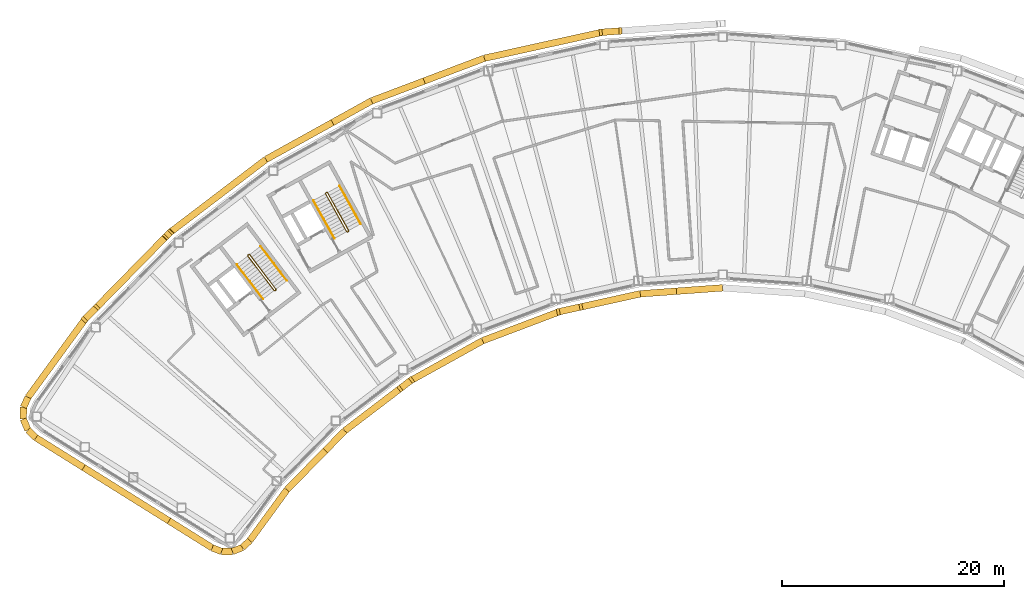
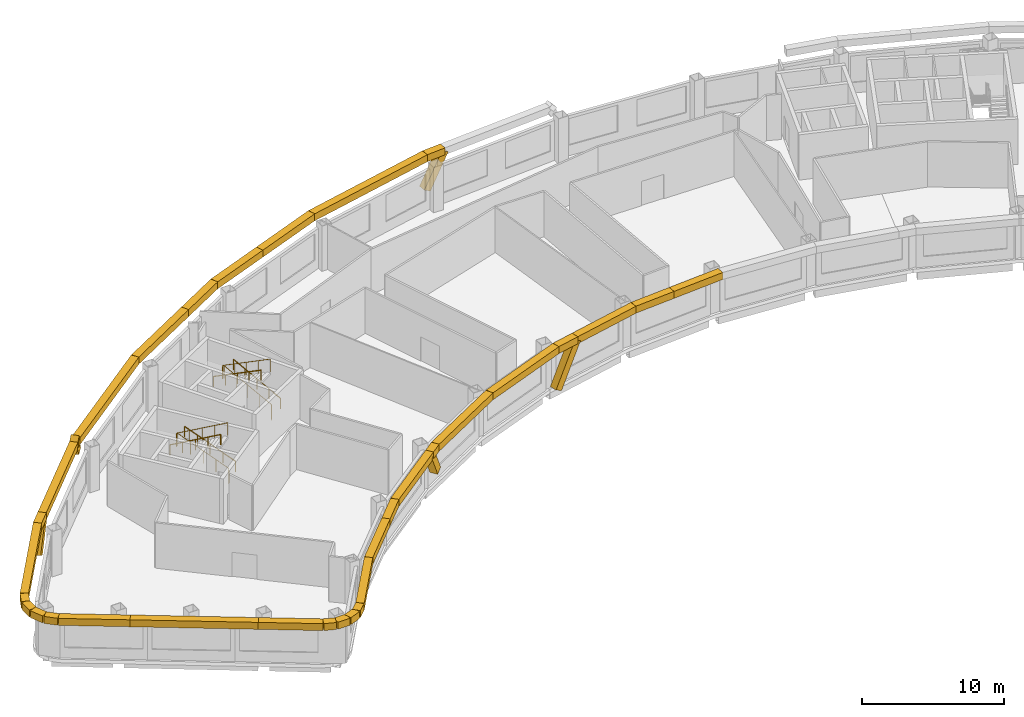
# One storey, part 12 of 13: 39 coverings, 6 railings.
"""IFC4 building model written with IfcOpenShell, lengths in metres."""

from ifc_helpers import new_model, si_unit, direction, frame, origin, origin_2d, place, context, subcontext, project, spatial, rectangle, circle, extrude, material, material_profile, profile_set, type_object, element, save


model = new_model("IFC4")

# Units and contexts
model_context = context("Model", 3, precision=1e-05, world=origin(), true_north=direction((0.0, 1.0)))
body_context = subcontext(model_context, "Body", "Model", "MODEL_VIEW")
ifc_project = project(units=[si_unit("LENGTHUNIT", "METRE"), si_unit("AREAUNIT", "SQUARE_METRE"), si_unit("VOLUMEUNIT", "CUBIC_METRE"), si_unit("PLANEANGLEUNIT", "RADIAN"), si_unit("MASSUNIT", "GRAM", prefix="KILO")], contexts=[model_context])

# Site, building, storey
site_placement = place(None, origin())
site = spatial("IfcSite", under=ifc_project, at=site_placement, CompositionType="ELEMENT")
building_placement = place(site_placement, origin())
building = spatial("IfcBuilding", under=site, at=building_placement, Name="Tuul Gate Civic Tower", CompositionType="ELEMENT")
storey_placement = place(building_placement, frame((0.0, 0.0, 306.800048828125)))
storey = spatial("IfcBuildingStorey", under=building, at=storey_placement, Name="Level 69", CompositionType="ELEMENT", Elevation=306.800048828125)

# Railings
ifc_material_1 = material(Name="Painted steel", Category="steel")
railing_type_1 = type_object("IfcRailingType", Name="Stair guard", PredefinedType="GUARDRAIL", material=ifc_material_1)
railing_1_placement = place(storey_placement, frame((-33.382080078125, -13.515380859375, 0.0)))
element("IfcRailing", 1, at=railing_1_placement, inside=storey, type_object=railing_type_1, Name="Level 69 ST-1 stair guard 1", PredefinedType="GUARDRAIL", context=body_context, shape_type="SweptSolid", body=[
    extrude(circle(Radius=0.02392578125, at=origin_2d()), frame((0.0, 0.0, 1.076171875), z_axis=(-0.795879841968, -0.605454603706, 0.0), x_axis=(0.605454603706, -0.795879841968, 0.0)), (0.0, 0.0, 1.0), 0.10009765625),
    extrude(circle(Radius=0.02392578125, at=origin_2d()), frame((-0.07958984375, -0.060546875, 1.076171875), z_axis=(0.408991890351, 0.599481263939, 0.688002796371), x_axis=(-0.826063974707, 0.563576356576, 0.0)), (0.0, 0.0, 1.0), 0.2177734375),
    extrude(circle(Radius=0.02392578125, at=origin_2d()), frame((0.009521484375, 0.070068359375, 1.22607421875), z_axis=(-0.541824460341, 0.711645023348, 0.447199748346), x_axis=(-0.795637165283, -0.60577347352, 0.0)), (0.0, 0.0, 1.0), 4.3603515625),
    extrude(circle(Radius=0.02392578125, at=origin_2d()), frame((-2.35302734375, 3.173095703125, 3.17578125), z_axis=(-0.990893089246, 0.134650977284, 0.0), x_axis=(-0.134650977284, -0.990893089246, 0.0)), (0.0, 0.0, 1.0), 0.07080078125),
    extrude(circle(Radius=0.02392578125, at=origin_2d()), frame((-2.423095703125, 3.1826171875, 3.17578125), z_axis=(-0.793802879778, -0.60817512943, 0.0), x_axis=(0.60817512943, -0.793802879778, 0.0)), (0.0, 0.0, 1.0), 0.099853515625),
    extrude(circle(Radius=0.02392578125, at=origin_2d()), frame((-2.50244140625, 3.121826171875, 3.17578125), z_axis=(-0.057370624079, -0.422188951554, 0.904690610473), x_axis=(0.990893089246, -0.134650977284, 0.0)), (0.0, 0.0, 1.0), 0.166015625),
    extrude(circle(Radius=0.02392578125, at=origin_2d()), frame((-2.511962890625, 3.0517578125, 3.326171875), z_axis=(0.541806494602, -0.71163897684, 0.447231136047), x_axis=(0.795644365679, 0.605764016233, 0.0)), (0.0, 0.0, 1.0), 4.360107421875),
    extrude(circle(Radius=0.02099609375, at=origin_2d()), origin(), (0.0, 0.0, 1.0), 1.052001953125),
    extrude(circle(Radius=0.02099609375, at=origin_2d()), frame((-0.07958984375, -0.060546875, 0.0)), (0.0, 0.0, 1.0), 1.052001953125),
    extrude(circle(Radius=0.02099609375, at=origin_2d()), frame((0.009521484375, 0.070068359375, 0.14990234375)), (0.0, 0.0, 1.0), 1.052001953125),
    extrude(circle(Radius=0.02099609375, at=origin_2d()), frame((-0.5810546875, 0.845703125, 0.637451171875)), (0.0, 0.0, 1.0), 1.052001953125),
    extrude(circle(Radius=0.02099609375, at=origin_2d()), frame((-1.171875, 1.62158203125, 1.125)), (0.0, 0.0, 1.0), 1.052001953125),
    extrude(circle(Radius=0.02099609375, at=origin_2d()), frame((-1.762451171875, 2.3974609375, 1.6123046875)), (0.0, 0.0, 1.0), 1.052001953125),
    extrude(circle(Radius=0.02099609375, at=origin_2d()), frame((-2.35302734375, 3.173095703125, 2.099853515625)), (0.0, 0.0, 1.0), 1.052001953125),
    extrude(circle(Radius=0.02099609375, at=origin_2d()), frame((-2.423095703125, 3.1826171875, 2.099853515625)), (0.0, 0.0, 1.0), 1.052001953125),
    extrude(circle(Radius=0.02099609375, at=origin_2d()), frame((-2.50244140625, 3.121826171875, 2.099853515625)), (0.0, 0.0, 1.0), 1.052001953125),
    extrude(circle(Radius=0.02099609375, at=origin_2d()), frame((-2.511962890625, 3.0517578125, 2.25)), (0.0, 0.0, 1.0), 1.052001953125),
    extrude(circle(Radius=0.02099609375, at=origin_2d()), frame((-1.92138671875, 2.276123046875, 2.737548828125)), (0.0, 0.0, 1.0), 1.052001953125),
    extrude(circle(Radius=0.02099609375, at=origin_2d()), frame((-1.330810546875, 1.50048828125, 3.22509765625)), (0.0, 0.0, 1.0), 1.052001953125),
    extrude(circle(Radius=0.02099609375, at=origin_2d()), frame((-0.740234375, 0.724609375, 3.71240234375)), (0.0, 0.0, 1.0), 1.052001953125),
    extrude(circle(Radius=0.02099609375, at=origin_2d()), frame((-0.149658203125, -0.051025390625, 4.199951171875)), (0.0, 0.0, 1.0), 1.052001953125),
])
railing_2_placement = place(storey_placement, frame((-26.857666015625, -8.247314453125, 0.0)))
element("IfcRailing", 2, at=railing_2_placement, inside=storey, type_object=railing_type_1, Name="Level 69 ST-2 stair guard 1", PredefinedType="GUARDRAIL", context=body_context, shape_type="SweptSolid", body=[
    extrude(circle(Radius=0.02392578125, at=origin_2d()), frame((0.0, 0.0, 1.076171875), z_axis=(-0.874616555828, -0.48481530532, 0.0), x_axis=(0.48481530532, -0.874616555828, 0.0)), (0.0, 0.0, 1.0), 0.10009765625),
    extrude(circle(Radius=0.02392578125, at=origin_2d()), frame((-0.087646484375, -0.048583984375, 1.076171875), z_axis=(0.49081399482, 0.534516610797, 0.688036056665), x_axis=(-0.736576986774, 0.676353711126, 0.0)), (0.0, 0.0, 1.0), 0.2177734375),
    extrude(circle(Radius=0.02392578125, at=origin_2d()), frame((0.019287109375, 0.06787109375, 1.22607421875), z_axis=(-0.43354991378, 0.782327185242, 0.447212083348), x_axis=(-0.874667644053, -0.484723129681, 0.0)), (0.0, 0.0, 1.0), 4.3603515625),
    extrude(circle(Radius=0.02392578125, at=origin_2d()), frame((-1.87109375, 3.47900390625, 3.17578125), z_axis=(-0.961263487578, 0.275631107549, 0.0), x_axis=(-0.275631107549, -0.961263487578, 0.0)), (0.0, 0.0, 1.0), 0.07080078125),
    extrude(circle(Radius=0.02392578125, at=origin_2d()), frame((-1.939208984375, 3.49853515625, 3.17578125), z_axis=(-0.874042088414, -0.485850211157, 0.0), x_axis=(0.485850211157, -0.874042088414, 0.0)), (0.0, 0.0, 1.0), 0.10009765625),
    extrude(circle(Radius=0.02392578125, at=origin_2d()), frame((-2.026611328125, 3.449951171875, 3.17578125), z_axis=(-0.117709570447, -0.409040757305, 0.904892322815), x_axis=(0.961000426733, -0.276546885391, 0.0)), (0.0, 0.0, 1.0), 0.166015625),
    extrude(circle(Radius=0.02392578125, at=origin_2d()), frame((-2.046142578125, 3.382080078125, 3.326171875), z_axis=(0.433595379963, -0.782308193291, 0.447201226726), x_axis=(0.874641102302, 0.484771020343, 0.0)), (0.0, 0.0, 1.0), 4.3603515625),
    extrude(circle(Radius=0.02099609375, at=origin_2d()), origin(), (0.0, 0.0, 1.0), 1.052001953125),
    extrude(circle(Radius=0.02099609375, at=origin_2d()), frame((-0.087646484375, -0.048583984375, 0.0)), (0.0, 0.0, 1.0), 1.052001953125),
    extrude(circle(Radius=0.02099609375, at=origin_2d()), frame((0.019287109375, 0.06787109375, 0.14990234375)), (0.0, 0.0, 1.0), 1.052001953125),
    extrude(circle(Radius=0.02099609375, at=origin_2d()), frame((-0.453369140625, 0.920654296875, 0.637451171875)), (0.0, 0.0, 1.0), 1.052001953125),
    extrude(circle(Radius=0.02099609375, at=origin_2d()), frame((-0.92578125, 1.7734375, 1.125)), (0.0, 0.0, 1.0), 1.052001953125),
    extrude(circle(Radius=0.02099609375, at=origin_2d()), frame((-1.3984375, 2.626220703125, 1.6123046875)), (0.0, 0.0, 1.0), 1.052001953125),
    extrude(circle(Radius=0.02099609375, at=origin_2d()), frame((-1.87109375, 3.47900390625, 2.099853515625)), (0.0, 0.0, 1.0), 1.052001953125),
    extrude(circle(Radius=0.02099609375, at=origin_2d()), frame((-1.939208984375, 3.49853515625, 2.099853515625)), (0.0, 0.0, 1.0), 1.052001953125),
    extrude(circle(Radius=0.02099609375, at=origin_2d()), frame((-2.026611328125, 3.449951171875, 2.099853515625)), (0.0, 0.0, 1.0), 1.052001953125),
    extrude(circle(Radius=0.02099609375, at=origin_2d()), frame((-2.046142578125, 3.382080078125, 2.25)), (0.0, 0.0, 1.0), 1.052001953125),
    extrude(circle(Radius=0.02099609375, at=origin_2d()), frame((-1.573486328125, 2.529296875, 2.737548828125)), (0.0, 0.0, 1.0), 1.052001953125),
    extrude(circle(Radius=0.02099609375, at=origin_2d()), frame((-1.100830078125, 1.676513671875, 3.22509765625)), (0.0, 0.0, 1.0), 1.052001953125),
    extrude(circle(Radius=0.02099609375, at=origin_2d()), frame((-0.628173828125, 0.82373046875, 3.71240234375)), (0.0, 0.0, 1.0), 1.052001953125),
    extrude(circle(Radius=0.02099609375, at=origin_2d()), frame((-0.155517578125, -0.029052734375, 4.199951171875)), (0.0, 0.0, 1.0), 1.052001953125),
])
ifc_material_2 = material(Name="Painted steel", Category="steel")
railing_type_2 = type_object("IfcRailingType", Name="Stair handrail", PredefinedType="HANDRAIL", material=ifc_material_2)
railing_3_placement = place(storey_placement, frame((-32.3779296875, -12.688232421875, 0.14990234375)))
element("IfcRailing", 3, at=railing_3_placement, inside=storey, type_object=railing_type_2, Name="Level 69 ST-1 stair handrail 1", PredefinedType="HANDRAIL", context=body_context, shape_type="SweptSolid", body=[
    extrude(circle(Radius=0.02392578125, at=origin_2d()), frame((0.0, 0.0, 0.8759765625), z_axis=(-0.541824460341, 0.711645023348, 0.447199748346), x_axis=(-0.795637165283, -0.60577347352, 0.0)), (0.0, 0.0, 1.0), 4.3603515625),
    extrude(circle(Radius=0.02099609375, at=origin_2d()), origin(), (0.0, 0.0, 1.0), 0.851806640625),
    extrude(circle(Radius=0.02099609375, at=origin_2d()), frame((-0.590576171875, 0.77587890625, 0.487548828125)), (0.0, 0.0, 1.0), 0.851806640625),
    extrude(circle(Radius=0.02099609375, at=origin_2d()), frame((-1.18115234375, 1.551513671875, 0.97509765625)), (0.0, 0.0, 1.0), 0.851806640625),
    extrude(circle(Radius=0.02099609375, at=origin_2d()), frame((-1.77197265625, 2.3271484375, 1.46240234375)), (0.0, 0.0, 1.0), 0.851806640625),
    extrude(circle(Radius=0.02099609375, at=origin_2d()), frame((-2.362548828125, 3.10302734375, 1.949951171875)), (0.0, 0.0, 1.0), 0.851806640625),
])
railing_4_placement = place(storey_placement, frame((-36.888671875, -11.220703125, 2.25)))
element("IfcRailing", 4, at=railing_4_placement, inside=storey, type_object=railing_type_2, Name="Level 69 ST-1 stair handrail 2", PredefinedType="HANDRAIL", context=body_context, shape_type="SweptSolid", body=[
    extrude(circle(Radius=0.02392578125, at=origin_2d()), frame((0.0, 0.0, 0.8759765625), z_axis=(0.541824460341, -0.711645023348, 0.447199748346), x_axis=(0.795637165283, 0.60577347352, 0.0)), (0.0, 0.0, 1.0), 4.3603515625),
    extrude(circle(Radius=0.02099609375, at=origin_2d()), origin(), (0.0, 0.0, 1.0), 0.851806640625),
    extrude(circle(Radius=0.02099609375, at=origin_2d()), frame((0.590576171875, -0.77587890625, 0.487548828125)), (0.0, 0.0, 1.0), 0.851806640625),
    extrude(circle(Radius=0.02099609375, at=origin_2d()), frame((1.18115234375, -1.551513671875, 0.97509765625)), (0.0, 0.0, 1.0), 0.851806640625),
    extrude(circle(Radius=0.02099609375, at=origin_2d()), frame((1.77197265625, -2.3271484375, 1.46240234375)), (0.0, 0.0, 1.0), 0.851806640625),
    extrude(circle(Radius=0.02099609375, at=origin_2d()), frame((2.362548828125, -3.10302734375, 1.949951171875)), (0.0, 0.0, 1.0), 0.851806640625),
])
railing_5_placement = place(storey_placement, frame((-25.744873046875, -7.573486328125, 0.14990234375)))
element("IfcRailing", 5, at=railing_5_placement, inside=storey, type_object=railing_type_2, Name="Level 69 ST-2 stair handrail 1", PredefinedType="HANDRAIL", context=body_context, shape_type="SweptSolid", body=[
    extrude(circle(Radius=0.02392578125, at=origin_2d()), frame((0.0, 0.0, 0.8759765625), z_axis=(-0.433595379963, 0.782308193291, 0.447201226726), x_axis=(-0.874641102302, -0.484771020343, 0.0)), (0.0, 0.0, 1.0), 4.3603515625),
    extrude(circle(Radius=0.02099609375, at=origin_2d()), origin(), (0.0, 0.0, 1.0), 0.851806640625),
    extrude(circle(Radius=0.02099609375, at=origin_2d()), frame((-0.47265625, 0.852783203125, 0.487548828125)), (0.0, 0.0, 1.0), 0.851806640625),
    extrude(circle(Radius=0.02099609375, at=origin_2d()), frame((-0.9453125, 1.70556640625, 0.97509765625)), (0.0, 0.0, 1.0), 0.851806640625),
    extrude(circle(Radius=0.02099609375, at=origin_2d()), frame((-1.41796875, 2.558349609375, 1.46240234375)), (0.0, 0.0, 1.0), 0.851806640625),
    extrude(circle(Radius=0.02099609375, at=origin_2d()), frame((-1.890625, 3.4111328125, 1.949951171875)), (0.0, 0.0, 1.0), 0.851806640625),
])
railing_6_placement = place(storey_placement, frame((-29.9970703125, -5.47119140625, 2.25)))
element("IfcRailing", 6, at=railing_6_placement, inside=storey, type_object=railing_type_2, Name="Level 69 ST-2 stair handrail 2", PredefinedType="HANDRAIL", context=body_context, shape_type="SweptSolid", body=[
    extrude(circle(Radius=0.02392578125, at=origin_2d()), frame((0.0, 0.0, 0.8759765625), z_axis=(0.433595379963, -0.782308193291, 0.447201226726), x_axis=(0.874641102302, 0.484771020343, 0.0)), (0.0, 0.0, 1.0), 4.3603515625),
    extrude(circle(Radius=0.02099609375, at=origin_2d()), origin(), (0.0, 0.0, 1.0), 0.851806640625),
    extrude(circle(Radius=0.02099609375, at=origin_2d()), frame((0.47265625, -0.852783203125, 0.487548828125)), (0.0, 0.0, 1.0), 0.851806640625),
    extrude(circle(Radius=0.02099609375, at=origin_2d()), frame((0.9453125, -1.70556640625, 0.97509765625)), (0.0, 0.0, 1.0), 0.851806640625),
    extrude(circle(Radius=0.02099609375, at=origin_2d()), frame((1.41796875, -2.558349609375, 1.46240234375)), (0.0, 0.0, 1.0), 0.851806640625),
    extrude(circle(Radius=0.02099609375, at=origin_2d()), frame((1.890625, -3.4111328125, 1.949951171875)), (0.0, 0.0, 1.0), 0.851806640625),
])

# Coverings
ifc_material_3 = material(Name="Terracotta baguette", Category="masonry")
ifc_material_profile = material_profile(ifc_material_3, rectangle(XDim=0.60009765625, YDim=0.60009765625, at=origin_2d()), Name="Terracotta baguette screen frame")
ifc_profile_set = profile_set([ifc_material_profile], Name="Terracotta baguette")
covering_type = type_object("IfcCoveringType", Name="Terracotta baguette screen frame", PredefinedType="CLADDING", material=ifc_profile_set)
covering_1_placement = place(storey_placement, frame((-2.529052734375, 9.760009765625, 3.849853515625), z_axis=(-0.473954067998, -0.034282113903, -0.879881968274), x_axis=(0.072143664594, -0.997394250865, 0.0)))
element("IfcCovering", 7, at=covering_1_placement, inside=storey, type_object=covering_type, Name="Baguette 83", PredefinedType="CLADDING", context=body_context, shape_type="SweptSolid", body=[
    extrude(rectangle(XDim=0.60009765625, YDim=0.60009765625, at=origin_2d()), origin(), (0.0, 0.0, 1.0), 3.17626953125),
])
covering_2_placement = place(storey_placement, frame((-20.041748046875, 5.26953125, 3.849853515625), z_axis=(-0.935351328768, -0.353720075442, 0.0), x_axis=(0.353720075442, -0.935351328768, 0.0)))
element("IfcCovering", 8, at=covering_2_placement, inside=storey, type_object=covering_type, Name="Baguette 99", PredefinedType="CLADDING", context=body_context, shape_type="SweptSolid", body=[
    extrude(rectangle(XDim=0.60009765625, YDim=0.60009765625, at=origin_2d()), origin(), (0.0, 0.0, 1.0), 5.06689453125),
])
covering_3_placement = place(storey_placement, frame((-24.781005859375, 3.477294921875, 3.849853515625), z_axis=(-0.874628361903, -0.484794006312, 0.0), x_axis=(0.484794006312, -0.874628361903, 0.0)))
element("IfcCovering", 9, at=covering_3_placement, inside=storey, type_object=covering_type, Name="Baguette 100", PredefinedType="CLADDING", context=body_context, shape_type="SweptSolid", body=[
    extrude(rectangle(XDim=0.60009765625, YDim=0.60009765625, at=origin_2d()), origin(), (0.0, 0.0, 1.0), 4.005615234375),
])
covering_4_placement = place(storey_placement, frame((-42.905517578125, -8.357177734375, 4.264404296875), z_axis=(-0.513683840045, -0.52408553774, -0.679310872582), x_axis=(0.714158332197, -0.69998419736, 0.0)))
element("IfcCovering", 10, at=covering_4_placement, inside=storey, type_object=covering_type, Name="Baguette 114", PredefinedType="CLADDING", context=body_context, shape_type="SweptSolid", body=[
    extrude(rectangle(XDim=0.60009765625, YDim=0.60009765625, at=origin_2d()), origin(), (0.0, 0.0, 1.0), 0.6103515625),
])
covering_5_placement = place(storey_placement, frame((-43.218994140625, -8.677001953125, 3.849853515625), z_axis=(0.332740975496, 0.339478721106, -0.879794090195), x_axis=(-0.714158332197, 0.69998419736, 0.0)))
element("IfcCovering", 11, at=covering_5_placement, inside=storey, type_object=covering_type, Name="Baguette 118", PredefinedType="CLADDING", context=body_context, shape_type="SweptSolid", body=[
    extrude(rectangle(XDim=0.60009765625, YDim=0.60009765625, at=origin_2d()), origin(), (0.0, 0.0, 1.0), 0.942138671875),
])
covering_6_placement = place(storey_placement, frame((-43.218994140625, -8.677001953125, 3.849853515625), z_axis=(-0.700048272114, -0.714095523519, 0.0), x_axis=(0.714095523519, -0.700048272114, 0.0)))
element("IfcCovering", 12, at=covering_6_placement, inside=storey, type_object=covering_type, Name="Baguette 120", PredefinedType="CLADDING", context=body_context, shape_type="SweptSolid", body=[
    extrude(rectangle(XDim=0.60009765625, YDim=0.60009765625, at=origin_2d()), origin(), (0.0, 0.0, 1.0), 9.072265625),
])
covering_7_placement = place(storey_placement, frame((-49.570068359375, -15.155517578125, 3.849853515625), z_axis=(-0.33267215135, -0.339297697341, -0.879889943285), x_axis=(0.714044065429, -0.70010075891, 0.0)))
element("IfcCovering", 13, at=covering_7_placement, inside=storey, type_object=covering_type, Name="Baguette 125", PredefinedType="CLADDING", context=body_context, shape_type="SweptSolid", body=[
    extrude(rectangle(XDim=0.60009765625, YDim=0.60009765625, at=origin_2d()), origin(), (0.0, 0.0, 1.0), 2.800537109375),
])
covering_8_placement = place(storey_placement, frame((-50.657470703125, -29.478515625, 3.849853515625), z_axis=(0.848058898511, -0.529901976461, 0.0), x_axis=(0.529901976461, 0.848058898511, 0.0)))
element("IfcCovering", 14, at=covering_8_placement, inside=storey, type_object=covering_type, Name="Baguette 152", PredefinedType="CLADDING", context=body_context, shape_type="SweptSolid", body=[
    extrude(rectangle(XDim=0.60009765625, YDim=0.60009765625, at=origin_2d()), origin(), (0.0, 0.0, 1.0), 9.05322265625),
])
covering_9_placement = place(storey_placement, frame((-28.919677734375, -27.94580078125, 3.849853515625), z_axis=(0.700087148809, 0.714057409507, 0.0), x_axis=(-0.714057409507, 0.700087148809, 0.0)))
element("IfcCovering", 15, at=covering_9_placement, inside=storey, type_object=covering_type, Name="Baguette 184", PredefinedType="CLADDING", context=body_context, shape_type="SweptSolid", body=[
    extrude(rectangle(XDim=0.60009765625, YDim=0.60009765625, at=origin_2d()), origin(), (0.0, 0.0, 1.0), 2.4814453125),
])
covering_10_placement = place(storey_placement, frame((-27.182373046875, -26.173828125, 3.849853515625), z_axis=(0.795568060783, 0.60586422626, 0.0), x_axis=(-0.60586422626, 0.795568060783, 0.0)))
element("IfcCovering", 16, at=covering_10_placement, inside=storey, type_object=covering_type, Name="Baguette 185", PredefinedType="CLADDING", context=body_context, shape_type="SweptSolid", body=[
    extrude(rectangle(XDim=0.60009765625, YDim=0.60009765625, at=origin_2d()), origin(), (0.0, 0.0, 1.0), 6.370361328125),
])
covering_11_placement = place(storey_placement, frame((-22.1142578125, -22.314208984375, 3.849853515625), z_axis=(0.37085661759, 0.282407368625, -0.884709809675), x_axis=(-0.605839521282, 0.795586874234, 0.0)))
element("IfcCovering", 17, at=covering_11_placement, inside=storey, type_object=covering_type, Name="Baguette 190", PredefinedType="CLADDING", context=body_context, shape_type="SweptSolid", body=[
    extrude(rectangle(XDim=0.60009765625, YDim=0.60009765625, at=origin_2d()), origin(), (0.0, 0.0, 1.0), 2.246826171875),
])
covering_12_placement = place(storey_placement, frame((-6.07666015625, -15.06787109375, 3.849853515625), z_axis=(-0.455229347503, -0.100335498866, -0.884702791247), x_axis=(0.215240395152, -0.976561095014, 0.0)))
element("IfcCovering", 18, at=covering_12_placement, inside=storey, type_object=covering_type, Name="Baguette 208", PredefinedType="CLADDING", context=body_context, shape_type="SweptSolid", body=[
    extrude(rectangle(XDim=0.60009765625, YDim=0.60009765625, at=origin_2d()), origin(), (0.0, 0.0, 1.0), 3.9052734375),
])
covering_13_placement = place(storey_placement, frame((-6.07666015625, -15.06787109375, 3.849853515625), z_axis=(0.97655816768, 0.215253676247, 0.0), x_axis=(-0.215253676247, 0.97655816768, 0.0)))
element("IfcCovering", 19, at=covering_13_placement, inside=storey, type_object=covering_type, Name="Baguette 210", PredefinedType="CLADDING", context=body_context, shape_type="SweptSolid", body=[
    extrude(rectangle(XDim=0.60009765625, YDim=0.60009765625, at=origin_2d()), origin(), (0.0, 0.0, 1.0), 5.59716796875),
])
covering_14_placement = place(storey_placement, frame((-0.610595703125, -13.863037109375, 3.849853515625), z_axis=(0.997387381497, 0.072238571629, 0.0), x_axis=(-0.072238571629, 0.997387381497, 0.0)))
element("IfcCovering", 20, at=covering_14_placement, inside=storey, type_object=covering_type, Name="Baguette 211", PredefinedType="CLADDING", context=body_context, shape_type="SweptSolid", body=[
    extrude(rectangle(XDim=0.60009765625, YDim=0.60009765625, at=origin_2d()), origin(), (0.0, 0.0, 1.0), 3.254638671875),
])
covering_15_placement = place(storey_placement, frame((-2.529052734375, 9.760009765625, 3.849853515625), z_axis=(-0.997394250865, -0.072143664594, 0.0), x_axis=(0.072143664594, -0.997394250865, 0.0)))
element("IfcCovering", 21, at=covering_15_placement, inside=storey, type_object=covering_type, Name="Baguette 311", PredefinedType="CLADDING", context=body_context, shape_type="SweptSolid", body=[
    extrude(rectangle(XDim=0.60009765625, YDim=0.60009765625, at=origin_2d()), origin(), (0.0, 0.0, 1.0), 1.50927734375),
])
covering_16_placement = place(storey_placement, frame((-4.034423828125, 9.651123046875, 3.849853515625), z_axis=(-0.976565652409, -0.215219716881, 0.0), x_axis=(0.215219716881, -0.976565652409, 0.0)))
element("IfcCovering", 22, at=covering_16_placement, inside=storey, type_object=covering_type, Name="Baguette 312", PredefinedType="CLADDING", context=body_context, shape_type="SweptSolid", body=[
    extrude(rectangle(XDim=0.60009765625, YDim=0.60009765625, at=origin_2d()), origin(), (0.0, 0.0, 1.0), 10.8515625),
])
covering_17_placement = place(storey_placement, frame((-14.631591796875, 7.315673828125, 3.849853515625), z_axis=(-0.935340241079, -0.353749393524, 0.0), x_axis=(0.353749393524, -0.935340241079, 0.0)))
element("IfcCovering", 23, at=covering_17_placement, inside=storey, type_object=covering_type, Name="Baguette 313", PredefinedType="CLADDING", context=body_context, shape_type="SweptSolid", body=[
    extrude(rectangle(XDim=0.60009765625, YDim=0.60009765625, at=origin_2d()), origin(), (0.0, 0.0, 1.0), 5.7841796875),
])
covering_18_placement = place(storey_placement, frame((-28.284423828125, 1.535400390625, 3.849853515625), z_axis=(-0.874634583045, -0.484782782431, 0.0), x_axis=(0.484782782431, -0.874634583045, 0.0)))
element("IfcCovering", 24, at=covering_18_placement, inside=storey, type_object=covering_type, Name="Baguette 316", PredefinedType="CLADDING", context=body_context, shape_type="SweptSolid", body=[
    extrude(rectangle(XDim=0.60009765625, YDim=0.60009765625, at=origin_2d()), origin(), (0.0, 0.0, 1.0), 6.845947265625),
])
covering_19_placement = place(storey_placement, frame((-34.272216796875, -1.783447265625, 3.849853515625), z_axis=(-0.79561038643, -0.605808643884, 0.0), x_axis=(0.605808643884, -0.79561038643, 0.0)))
element("IfcCovering", 25, at=covering_19_placement, inside=storey, type_object=covering_type, Name="Baguette 317", PredefinedType="CLADDING", context=body_context, shape_type="SweptSolid", body=[
    extrude(rectangle(XDim=0.60009765625, YDim=0.60009765625, at=origin_2d()), origin(), (0.0, 0.0, 1.0), 10.85107421875),
])
covering_20_placement = place(storey_placement, frame((-42.905517578125, -8.357177734375, 3.849853515625), z_axis=(-0.69998419736, -0.714158332197, 0.0), x_axis=(0.714158332197, -0.69998419736, 0.0)))
element("IfcCovering", 26, at=covering_20_placement, inside=storey, type_object=covering_type, Name="Baguette 318", PredefinedType="CLADDING", context=body_context, shape_type="SweptSolid", body=[
    extrude(rectangle(XDim=0.60009765625, YDim=0.60009765625, at=origin_2d()), origin(), (0.0, 0.0, 1.0), 0.44775390625),
])
covering_21_placement = place(storey_placement, frame((-49.570068359375, -15.155517578125, 3.849853515625), z_axis=(-0.70010075891, -0.714044065429, 0.0), x_axis=(0.714044065429, -0.70010075891, 0.0)))
element("IfcCovering", 27, at=covering_21_placement, inside=storey, type_object=covering_type, Name="Baguette 329", PredefinedType="CLADDING", context=body_context, shape_type="SweptSolid", body=[
    extrude(rectangle(XDim=0.60009765625, YDim=0.60009765625, at=origin_2d()), origin(), (0.0, 0.0, 1.0), 1.330810546875),
])
covering_22_placement = place(storey_placement, frame((-50.501708984375, -16.105712890625, 3.849853515625), z_axis=(-0.589746057962, -0.807588748756, 0.0), x_axis=(0.807588748756, -0.589746057962, 0.0)))
element("IfcCovering", 28, at=covering_22_placement, inside=storey, type_object=covering_type, Name="Baguette 330", PredefinedType="CLADDING", context=body_context, shape_type="SweptSolid", body=[
    extrude(rectangle(XDim=0.60009765625, YDim=0.60009765625, at=origin_2d()), origin(), (0.0, 0.0, 1.0), 8.73486328125),
])
covering_23_placement = place(storey_placement, frame((-55.653076171875, -23.159912109375, 3.849853515625), z_axis=(-0.413393330634, -0.910552554325, 0.0), x_axis=(0.910552554325, -0.413393330634, 0.0)))
element("IfcCovering", 29, at=covering_23_placement, inside=storey, type_object=covering_type, Name="Baguette 331", PredefinedType="CLADDING", context=body_context, shape_type="SweptSolid", body=[
    extrude(rectangle(XDim=0.60009765625, YDim=0.60009765625, at=origin_2d()), origin(), (0.0, 0.0, 1.0), 0.988037109375),
])
covering_24_placement = place(storey_placement, frame((-56.0615234375, -24.0595703125, 3.849853515625), z_axis=(-0.014627006458, -0.999893019619, 0.0), x_axis=(0.999893019619, -0.014627006458, 0.0)))
element("IfcCovering", 30, at=covering_24_placement, inside=storey, type_object=covering_type, Name="Baguette 332", PredefinedType="CLADDING", context=body_context, shape_type="SweptSolid", body=[
    extrude(rectangle(XDim=0.60009765625, YDim=0.60009765625, at=origin_2d()), origin(), (0.0, 0.0, 1.0), 1.068115234375),
])
covering_25_placement = place(storey_placement, frame((-56.0771484375, -25.127685546875, 3.849853515625), z_axis=(0.386726676251, -0.922194381829, 0.0), x_axis=(0.922194381829, 0.386726676251, 0.0)))
element("IfcCovering", 31, at=covering_25_placement, inside=storey, type_object=covering_type, Name="Baguette 333", PredefinedType="CLADDING", context=body_context, shape_type="SweptSolid", body=[
    extrude(rectangle(XDim=0.60009765625, YDim=0.60009765625, at=origin_2d()), origin(), (0.0, 0.0, 1.0), 1.06689453125),
])
covering_26_placement = place(storey_placement, frame((-55.66455078125, -26.111572265625, 3.849853515625), z_axis=(0.721550422979, -0.69236189027, 0.0), x_axis=(0.69236189027, 0.721550422979, 0.0)))
element("IfcCovering", 32, at=covering_26_placement, inside=storey, type_object=covering_type, Name="Baguette 334", PredefinedType="CLADDING", context=body_context, shape_type="SweptSolid", body=[
    extrude(rectangle(XDim=0.60009765625, YDim=0.60009765625, at=origin_2d()), origin(), (0.0, 0.0, 1.0), 0.987060546875),
])
covering_27_placement = place(storey_placement, frame((-54.952392578125, -26.794921875, 3.849853515625), z_axis=(0.848063296271, -0.529894938188, 0.0), x_axis=(0.529894938188, 0.848063296271, 0.0)))
element("IfcCovering", 33, at=covering_27_placement, inside=storey, type_object=covering_type, Name="Baguette 335", PredefinedType="CLADDING", context=body_context, shape_type="SweptSolid", body=[
    extrude(rectangle(XDim=0.60009765625, YDim=0.60009765625, at=origin_2d()), origin(), (0.0, 0.0, 1.0), 5.064453125),
])
covering_28_placement = place(storey_placement, frame((-42.979736328125, -34.27587890625, 3.849853515625), z_axis=(0.848037242492, -0.529936633331, 0.0), x_axis=(0.529936633331, 0.848037242492, 0.0)))
element("IfcCovering", 34, at=covering_28_placement, inside=storey, type_object=covering_type, Name="Baguette 337", PredefinedType="CLADDING", context=body_context, shape_type="SweptSolid", body=[
    extrude(rectangle(XDim=0.60009765625, YDim=0.60009765625, at=origin_2d()), origin(), (0.0, 0.0, 1.0), 4.578857421875),
])
covering_29_placement = place(storey_placement, frame((-39.0966796875, -36.702392578125, 3.849853515625), z_axis=(0.932070663417, -0.362276522007, 0.0), x_axis=(0.362276522007, 0.932070663417, 0.0)))
element("IfcCovering", 35, at=covering_29_placement, inside=storey, type_object=covering_type, Name="Baguette 338", PredefinedType="CLADDING", context=body_context, shape_type="SweptSolid", body=[
    extrude(rectangle(XDim=0.60009765625, YDim=0.60009765625, at=origin_2d()), origin(), (0.0, 0.0, 1.0), 0.90234375),
])
covering_30_placement = place(storey_placement, frame((-38.255615234375, -37.029296875, 3.849853515625), z_axis=(0.999996190252, 0.002760340801, 0.0), x_axis=(-0.002760340801, 0.999996190252, 0.0)))
element("IfcCovering", 36, at=covering_30_placement, inside=storey, type_object=covering_type, Name="Baguette 339", PredefinedType="CLADDING", context=body_context, shape_type="SweptSolid", body=[
    extrude(rectangle(XDim=0.60009765625, YDim=0.60009765625, at=origin_2d()), origin(), (0.0, 0.0, 1.0), 0.972900390625),
])
covering_31_placement = place(storey_placement, frame((-37.28271484375, -37.026611328125, 3.849853515625), z_axis=(0.92951118864, 0.368793912902, 0.0), x_axis=(-0.368793912902, 0.92951118864, 0.0)))
element("IfcCovering", 37, at=covering_31_placement, inside=storey, type_object=covering_type, Name="Baguette 340", PredefinedType="CLADDING", context=body_context, shape_type="SweptSolid", body=[
    extrude(rectangle(XDim=0.60009765625, YDim=0.60009765625, at=origin_2d()), origin(), (0.0, 0.0, 1.0), 0.97314453125),
])
covering_32_placement = place(storey_placement, frame((-36.378173828125, -36.667724609375, 3.849853515625), z_axis=(0.729874818013, 0.683580829185, 0.0), x_axis=(-0.683580829185, 0.729874818013, 0.0)))
element("IfcCovering", 38, at=covering_32_placement, inside=storey, type_object=covering_type, Name="Baguette 341", PredefinedType="CLADDING", context=body_context, shape_type="SweptSolid", body=[
    extrude(rectangle(XDim=0.60009765625, YDim=0.60009765625, at=origin_2d()), origin(), (0.0, 0.0, 1.0), 0.90185546875),
])
covering_33_placement = place(storey_placement, frame((-35.719970703125, -36.05126953125, 3.849853515625), z_axis=(0.589729447422, 0.807600878432, 0.0), x_axis=(-0.807600878432, 0.589729447422, 0.0)))
element("IfcCovering", 39, at=covering_33_placement, inside=storey, type_object=covering_type, Name="Baguette 342", PredefinedType="CLADDING", context=body_context, shape_type="SweptSolid", body=[
    extrude(rectangle(XDim=0.60009765625, YDim=0.60009765625, at=origin_2d()), origin(), (0.0, 0.0, 1.0), 5.671142578125),
])
covering_34_placement = place(storey_placement, frame((-32.37548828125, -31.47119140625, 3.849853515625), z_axis=(0.700024437116, 0.71411888887, 0.0), x_axis=(-0.71411888887, 0.700024437116, 0.0)))
element("IfcCovering", 40, at=covering_34_placement, inside=storey, type_object=covering_type, Name="Baguette 343", PredefinedType="CLADDING", context=body_context, shape_type="SweptSolid", body=[
    extrude(rectangle(XDim=0.60009765625, YDim=0.60009765625, at=origin_2d()), origin(), (0.0, 0.0, 1.0), 4.936767578125),
])
covering_35_placement = place(storey_placement, frame((-22.1142578125, -22.314208984375, 3.849853515625), z_axis=(0.795586874234, 0.605839521282, 0.0), x_axis=(-0.605839521282, 0.795586874234, 0.0)))
element("IfcCovering", 41, at=covering_35_placement, inside=storey, type_object=covering_type, Name="Baguette 348", PredefinedType="CLADDING", context=body_context, shape_type="SweptSolid", body=[
    extrude(rectangle(XDim=0.60009765625, YDim=0.60009765625, at=origin_2d()), origin(), (0.0, 0.0, 1.0), 1.04736328125),
])
covering_36_placement = place(storey_placement, frame((-21.281005859375, -21.6796875, 3.849853515625), z_axis=(0.874616400337, 0.484815585828, 0.0), x_axis=(-0.484815585828, 0.874616400337, 0.0)))
element("IfcCovering", 42, at=covering_36_placement, inside=storey, type_object=covering_type, Name="Baguette 349", PredefinedType="CLADDING", context=body_context, shape_type="SweptSolid", body=[
    extrude(rectangle(XDim=0.60009765625, YDim=0.60009765625, at=origin_2d()), origin(), (0.0, 0.0, 1.0), 7.418212890625),
])
covering_37_placement = place(storey_placement, frame((-14.79296875, -18.083251953125, 3.849853515625), z_axis=(0.935368082117, 0.353675770951, 0.0), x_axis=(-0.353675770951, 0.935368082117, 0.0)))
element("IfcCovering", 43, at=covering_37_placement, inside=storey, type_object=covering_type, Name="Baguette 350", PredefinedType="CLADDING", context=body_context, shape_type="SweptSolid", body=[
    extrude(rectangle(XDim=0.60009765625, YDim=0.60009765625, at=origin_2d()), origin(), (0.0, 0.0, 1.0), 7.41796875),
])
covering_38_placement = place(storey_placement, frame((-7.8544921875, -15.459716796875, 3.849853515625), z_axis=(0.976561095014, 0.215240395152, 0.0), x_axis=(-0.215240395152, 0.976561095014, 0.0)))
element("IfcCovering", 44, at=covering_38_placement, inside=storey, type_object=covering_type, Name="Baguette 351", PredefinedType="CLADDING", context=body_context, shape_type="SweptSolid", body=[
    extrude(rectangle(XDim=0.60009765625, YDim=0.60009765625, at=origin_2d()), origin(), (0.0, 0.0, 1.0), 1.820556640625),
])
covering_39_placement = place(storey_placement, frame((2.635498046875, -13.6279296875, 3.849853515625), z_axis=(0.997382835281, 0.072301313181, 0.0), x_axis=(-0.072301313181, 0.997382835281, 0.0)))
element("IfcCovering", 45, at=covering_39_placement, inside=storey, type_object=covering_type, Name="Baguette 355", PredefinedType="CLADDING", context=body_context, shape_type="SweptSolid", body=[
    extrude(rectangle(XDim=0.60009765625, YDim=0.60009765625, at=origin_2d()), origin(), (0.0, 0.0, 1.0), 4.16357421875),
])

save(model, "model.ifc")
